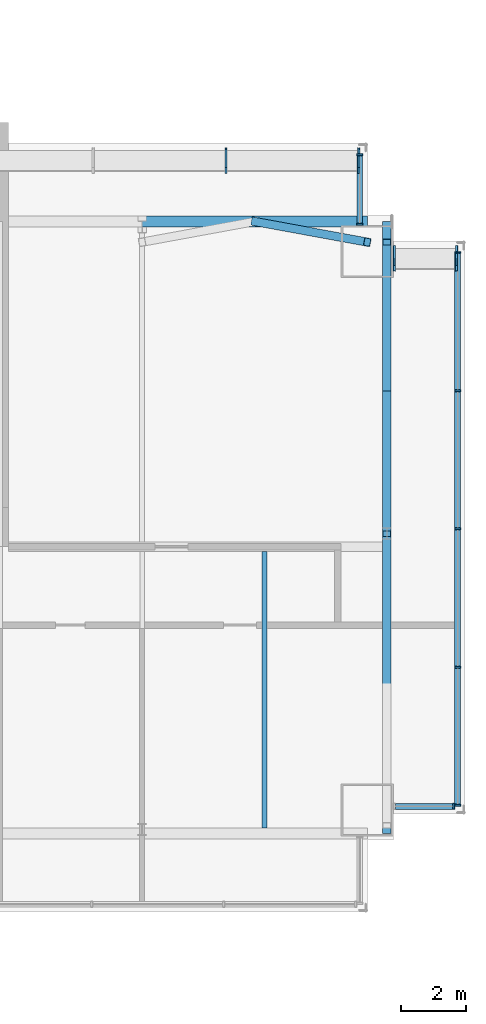
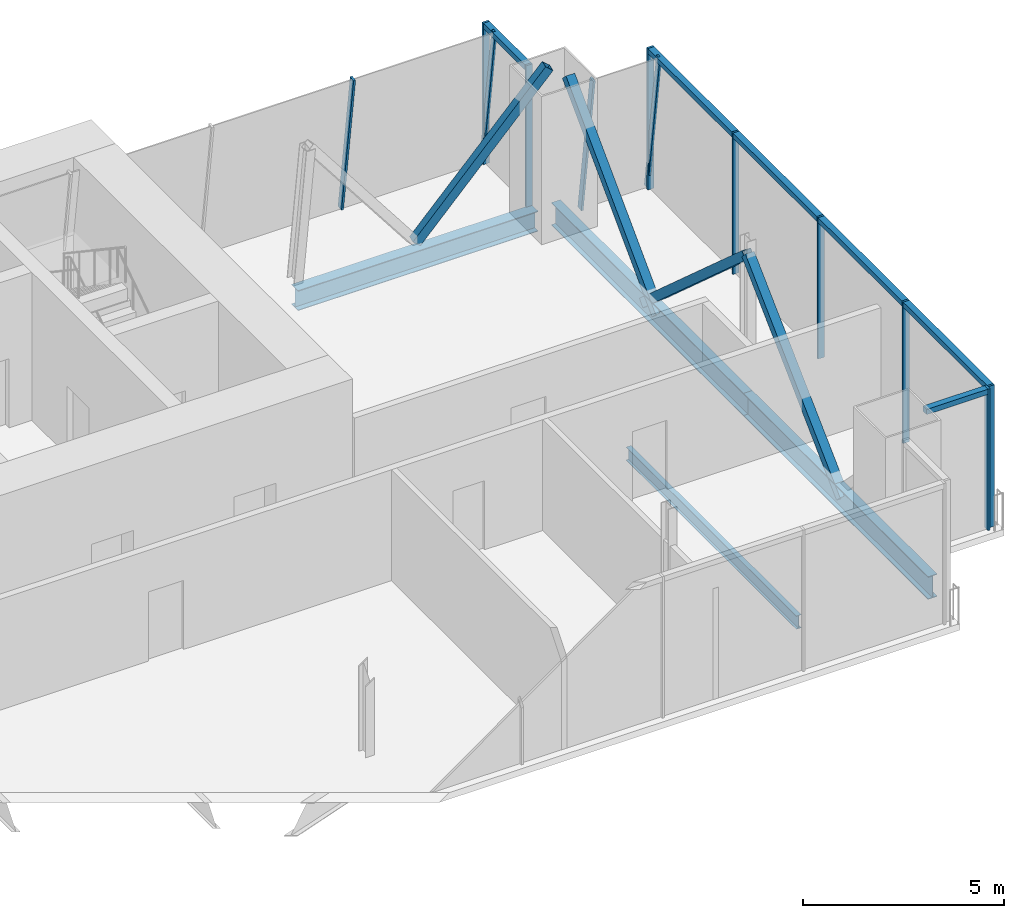
# One storey, part 7 of 14: 22 members, 4 beams, 5 elements without a shape of their own.
"""IFC4 building model written with IfcOpenShell, lengths in metres."""

import ifcopenshell
import ifcopenshell.guid

model = None  # the IFC model being written
_history = None  # IfcOwnerHistory: only IFC2X3 demands one
_inside = {}  # id of a spatial element -> (the spatial element, [elements in it])
_under = {}  # id of a project, library or spatial element -> (it, [spatial elements below it])
_declared = {}  # id of a project -> (the project, [libraries it declares])
_typed = {}  # id of a type object -> (the type object, [elements of that type])
_made_of = {}  # id of a material, layer set ... -> (it, [elements and type objects made of it])


def new_model(schema):
    """Start an empty IFC model of exactly this schema.

    Asked for "IFC4X3", IfcOpenShell would pick the latest addendum, in which some entities
    have other attributes; the version numbers below select the first issue.
    IFC2X3 requires an IfcOwnerHistory on every rooted entity: one is made here for all.
    """
    global model, _history
    if schema == "IFC4X3":
        model = ifcopenshell.file(schema_version=(4, 3, 0, 0))
    else:
        model = ifcopenshell.file(schema=schema)
    _inside.clear()
    _under.clear()
    _declared.clear()
    _typed.clear()
    _made_of.clear()
    _history = None
    if model.schema == "IFC2X3":
        org = make("IfcOrganization", Name="unknown")
        user = make(
            "IfcPersonAndOrganization",
            ThePerson=make("IfcPerson", FamilyName="unknown"),
            TheOrganization=org,
        )
        app = make(
            "IfcApplication",
            ApplicationDeveloper=org,
            Version="unknown",
            ApplicationFullName="unknown",
            ApplicationIdentifier="unknown",
        )
        _history = make(
            "IfcOwnerHistory",
            OwningUser=user,
            OwningApplication=app,
            ChangeAction="ADDED",
            CreationDate=0,
        )
    return model


def make(cls, **values):
    """One entity of the class cls with the attributes given. An attribute that is None is left unset."""
    return model.create_entity(
        cls, **{name: value for name, value in values.items() if value is not None}
    )


def rooted(cls, **values):
    """An entity with a GlobalId (a new one), such as an element, a storey or a relation."""
    return make(cls, GlobalId=ifcopenshell.guid.new(), OwnerHistory=_history, **values)


def si_unit(unit_type, name, prefix=None):
    """IfcSIUnit, for example si_unit("LENGTHUNIT", "METRE", prefix="MILLI")."""
    return make("IfcSIUnit", UnitType=unit_type, Prefix=prefix, Name=name)


def assignment(units):
    """IfcUnitAssignment: the units of a project."""
    return None if units is None else make("IfcUnitAssignment", Units=units)


def point(xyz):
    """IfcCartesianPoint."""
    return None if xyz is None else make("IfcCartesianPoint", Coordinates=xyz)


def direction(xyz):
    """IfcDirection."""
    return None if xyz is None else make("IfcDirection", DirectionRatios=xyz)


def frame(location, z_axis=None, x_axis=None):
    """IfcAxis2Placement3D, a coordinate frame: its origin and axes. An axis left out is left unset."""
    return make(
        "IfcAxis2Placement3D",
        Location=point(location),
        Axis=direction(z_axis),
        RefDirection=direction(x_axis),
    )


def frame_2d(location, x_axis=None):
    """IfcAxis2Placement2D, a coordinate frame in the plane: its origin and x axis."""
    return make(
        "IfcAxis2Placement2D", Location=point(location), RefDirection=direction(x_axis)
    )


def origin():
    """The frame at (0, 0, 0) with its axes left unset."""
    return frame((0.0, 0.0, 0.0))


def origin_2d():
    """The frame at (0, 0) in the plane with its x axis left unset."""
    return frame_2d((0.0, 0.0))


def place(relative_to, where):
    """IfcLocalPlacement: puts the frame where relative to a parent placement (None: the world)."""
    return make(
        "IfcLocalPlacement", PlacementRelTo=relative_to, RelativePlacement=where
    )


def context(
    kind, dimensions, precision=None, world=None, true_north=None, identifier=None
):
    """IfcGeometricRepresentationContext, for example the 3D "Model" context."""
    return make(
        "IfcGeometricRepresentationContext",
        ContextIdentifier=identifier,
        ContextType=kind,
        CoordinateSpaceDimension=dimensions,
        Precision=precision,
        WorldCoordinateSystem=world,
        TrueNorth=true_north,
    )


def subcontext(parent, identifier, kind, view, scale=None):
    """IfcGeometricRepresentationSubContext, for example "Body" below "Model"."""
    return make(
        "IfcGeometricRepresentationSubContext",
        ContextIdentifier=identifier,
        ContextType=kind,
        ParentContext=parent,
        TargetScale=scale,
        TargetView=view,
    )


def project(units=None, contexts=None):
    """IfcProject with its units and contexts."""
    return rooted(
        "IfcProject",
        Name="project",
        RepresentationContexts=contexts,
        UnitsInContext=assignment(units),
    )


def spatial(cls, under=None, at=None, **own):
    """A site, building, storey or space (cls), placed at a placement, below another one or the project."""
    s = rooted(cls, ObjectPlacement=at, **own)
    if under is not None:
        _under.setdefault(under.id(), (under, []))[1].append(s)
    return s


def profile(cls, at=None, kind="AREA", **sizes):
    """A parametric profile (cls). Its sizes go by their IFC names, for example OverallWidth=200.0."""
    return make(cls, ProfileType=kind, Position=at, **sizes)


def rectangle(**sizes):
    """IfcRectangleProfileDef."""
    return profile("IfcRectangleProfileDef", **sizes)


def hollow_rectangle(**sizes):
    """IfcRectangleHollowProfileDef."""
    return profile("IfcRectangleHollowProfileDef", **sizes)


def i_section(**sizes):
    """IfcIShapeProfileDef."""
    return profile("IfcIShapeProfileDef", **sizes)


def extrude(swept, where, along, depth):
    """IfcExtrudedAreaSolid: the profile swept, set in the frame where, extruded along a direction by depth."""
    return make(
        "IfcExtrudedAreaSolid",
        SweptArea=swept,
        Position=where,
        ExtrudedDirection=direction(along),
        Depth=depth,
    )


def shape(context_of_items, identifier, shape_type, items):
    """IfcShapeRepresentation: the items that make up one representation, for example the "Body"."""
    return make(
        "IfcShapeRepresentation",
        ContextOfItems=context_of_items,
        RepresentationIdentifier=identifier,
        RepresentationType=shape_type,
        Items=items,
    )


def material(Name=None, Category=None):
    """IfcMaterial."""
    return make("IfcMaterial", Name=Name, Category=Category)


def material_profile(
    of_material, cross_section, Name=None, Category=None, Priority=None
):
    """IfcMaterialProfile: a cross section and its material."""
    return make(
        "IfcMaterialProfile",
        Name=Name,
        Material=of_material,
        Profile=cross_section,
        Priority=Priority,
        Category=Category,
    )


def profile_set(profiles, Name=None, composite=None):
    """IfcMaterialProfileSet."""
    return make(
        "IfcMaterialProfileSet",
        Name=Name,
        MaterialProfiles=profiles,
        CompositeProfile=composite,
    )


def made_of(thing, what):
    """Note that an element or type object is made of a material, layer set ...; save() writes the relation."""
    if what is not None:
        _made_of.setdefault(what.id(), (what, []))[1].append(thing)
    return thing


def type_object(cls, material=None, **own):
    """A type object (cls), such as IfcWallType, which elements share."""
    return made_of(rooted(cls, **own), material)


def element(
    cls,
    number,
    at=None,
    inside=None,
    cuts=None,
    type_object=None,
    material=None,
    context=None,
    identifier="Body",
    shape_type=None,
    held_by="IfcProductDefinitionShape",
    body=None,
    shapes=None,
    **own,
):
    """One element of the class cls, such as IfcWall. Its Tag is "e" and its number.

    at: its placement. inside: the storey or other place that contains it. cuts: it is an
    opening in that element (IfcRelVoidsElement). A single representation is given by context,
    identifier, shape_type and body (its items); several are given by shapes. held_by: the class
    of the entity that holds the representations. save() writes the other relations.
    """
    e = rooted(cls, Tag="e%d" % number, ObjectPlacement=at, **own)
    if body is not None:
        shapes = [shape(context, identifier, shape_type, body)]
    if shapes is not None:
        e.Representation = make(held_by, Representations=shapes)
    if inside is not None:
        _inside.setdefault(inside.id(), (inside, []))[1].append(e)
    if cuts is not None:
        rooted(
            "IfcRelVoidsElement", RelatingBuildingElement=cuts, RelatedOpeningElement=e
        )
    if type_object is not None:
        _typed.setdefault(type_object.id(), (type_object, []))[1].append(e)
    return made_of(e, material)


def aggregate(whole, parts):
    """IfcRelAggregates: a whole, such as a stair, and the parts it consists of."""
    return rooted("IfcRelAggregates", RelatingObject=whole, RelatedObjects=parts)


def save(model, path):
    """Write the relations noted so far, then the file.

    IfcRelAggregates (storeys below a building ...), IfcRelContainedInSpatialStructure (elements
    in a storey), IfcRelDefinesByType, IfcRelAssociatesMaterial and IfcRelDeclares: one each for
    every whole, place, type object, material and project.
    """
    for whole, parts in _under.values():
        aggregate(whole, parts)
    for where, things in _inside.values():
        rooted(
            "IfcRelContainedInSpatialStructure",
            RelatedElements=things,
            RelatingStructure=where,
        )
    for kind, things in _typed.values():
        rooted("IfcRelDefinesByType", RelatedObjects=things, RelatingType=kind)
    for what, things in _made_of.values():
        rooted("IfcRelAssociatesMaterial", RelatedObjects=things, RelatingMaterial=what)
    for by, libraries in _declared.values():
        rooted("IfcRelDeclares", RelatingContext=by, RelatedDefinitions=libraries)
    model.write(path)


model = new_model("IFC4")

# Units and contexts
model_context = context("Model", 3, precision=1e-05, world=origin(), true_north=direction((0.0, 1.0)))
body_context = subcontext(model_context, "Body", "Model", "MODEL_VIEW")
ifc_project = project(units=[si_unit("LENGTHUNIT", "METRE"), si_unit("AREAUNIT", "SQUARE_METRE"), si_unit("VOLUMEUNIT", "CUBIC_METRE"), si_unit("PLANEANGLEUNIT", "RADIAN"), si_unit("MASSUNIT", "GRAM", prefix="KILO")], contexts=[model_context])

# Site, building, storey
site_placement = place(None, origin())
site = spatial("IfcSite", under=ifc_project, at=site_placement, CompositionType="ELEMENT")
building_placement = place(site_placement, origin())
building = spatial("IfcBuilding", under=site, at=building_placement, Name="Bicima Exchange Tower", CompositionType="ELEMENT")
storey_placement = place(building_placement, frame((0.0, 0.0, 352.39990234375)))
storey = spatial("IfcBuildingStorey", under=building, at=storey_placement, Name="L79", CompositionType="ELEMENT", Elevation=352.39990234375)

# Curtain wall, members
ifc_material_1 = material(Name="Anodised bronze aluminium", Category="aluminium")
curtain_wall_type = type_object("IfcCurtainWallType", Name="Crown glass wall", PredefinedType="NOTDEFINED", material=ifc_material_1)
curtain_wall_1_placement = place(storey_placement, origin())
curtain_wall_1 = element("IfcCurtainWall", 1, at=curtain_wall_1_placement, inside=storey, type_object=curtain_wall_type, Name="Crown glass wall L79 run 1", PredefinedType="NOTDEFINED")
ifc_material_profile_1 = material_profile(ifc_material_1, rectangle(XDim=0.179931640625, YDim=0.06005859375, at=origin_2d()))
ifc_profile_set_1 = profile_set([ifc_material_profile_1], Name="Anodised bronze aluminium")
member_type_1 = type_object("IfcMemberType", Name="Crown glass wall mullion 60 x 180", PredefinedType="MULLION", material=ifc_profile_set_1)
member_1_placement = place(storey_placement, frame((32.77001953125, -3.11865234375, 0.0), z_axis=(0.0, 0.0, 1.0), x_axis=(-1.0, 0.0, 0.0)))
member_1 = element("IfcMember", 2, at=member_1_placement, type_object=member_type_1, Name="Crown glass wall mullion 1", PredefinedType="MULLION", context=body_context, shape_type="SweptSolid", body=[
    extrude(rectangle(XDim=0.179931640625, YDim=0.06005859375, at=origin_2d()), origin(), (0.0, 0.0, 1.0), 4.300048828125),
])
member_2_placement = place(storey_placement, frame((32.77001953125, -0.982421875, 0.0), z_axis=(0.0, 0.0, 1.0), x_axis=(-1.0, 0.0, 0.0)))
member_2 = element("IfcMember", 3, at=member_2_placement, type_object=member_type_1, Name="Crown glass wall mullion 2", PredefinedType="MULLION", context=body_context, shape_type="SweptSolid", body=[
    extrude(rectangle(XDim=0.179931640625, YDim=0.06005859375, at=origin_2d()), origin(), (0.0, 0.0, 1.0), 4.300048828125),
])

# Curtain wall, member
curtain_wall_2_placement = place(storey_placement, origin())
curtain_wall_2 = element("IfcCurtainWall", 4, at=curtain_wall_2_placement, inside=storey, type_object=curtain_wall_type, Name="Crown glass wall L79 run 14", PredefinedType="NOTDEFINED")
member_3_placement = place(storey_placement, frame((35.64990234375, -20.9580078125, 0.0), z_axis=(0.0, 0.0, 1.0), x_axis=(0.0, 1.0, 0.0)))
member_3 = element("IfcMember", 5, at=member_3_placement, type_object=member_type_1, Name="Crown glass wall mullion 2", PredefinedType="MULLION", context=body_context, shape_type="SweptSolid", body=[
    extrude(rectangle(XDim=0.179931640625, YDim=0.06005859375, at=origin_2d()), origin(), (0.0, 0.0, 1.0), 4.300048828125),
])

# Curtain wall, members
curtain_wall_3_placement = place(storey_placement, origin())
curtain_wall_3 = element("IfcCurtainWall", 6, at=curtain_wall_3_placement, inside=storey, type_object=curtain_wall_type, Name="Crown glass wall L79 run 15", PredefinedType="NOTDEFINED")
member_4_placement = place(storey_placement, frame((35.77001953125, -20.927978515625, 0.0), z_axis=(0.0, 0.0, 1.0), x_axis=(-1.0, 0.0, 0.0)))
member_4 = element("IfcMember", 7, at=member_4_placement, type_object=member_type_1, Name="Crown glass wall mullion 1", PredefinedType="MULLION", context=body_context, shape_type="SweptSolid", body=[
    extrude(rectangle(XDim=0.179931640625, YDim=0.06005859375, at=origin_2d()), origin(), (0.0, 0.0, 1.0), 4.300048828125),
])
member_5_placement = place(storey_placement, frame((35.77001953125, -16.691650390625, 0.0), z_axis=(0.0, 0.0, 1.0), x_axis=(-1.0, 0.0, 0.0)))
member_5 = element("IfcMember", 8, at=member_5_placement, type_object=member_type_1, Name="Crown glass wall mullion 2", PredefinedType="MULLION", context=body_context, shape_type="SweptSolid", body=[
    extrude(rectangle(XDim=0.179931640625, YDim=0.06005859375, at=origin_2d()), origin(), (0.0, 0.0, 1.0), 4.300048828125),
])
member_6_placement = place(storey_placement, frame((35.77001953125, -12.455078125, 0.0), z_axis=(0.0, 0.0, 1.0), x_axis=(-1.0, 0.0, 0.0)))
member_6 = element("IfcMember", 9, at=member_6_placement, type_object=member_type_1, Name="Crown glass wall mullion 3", PredefinedType="MULLION", context=body_context, shape_type="SweptSolid", body=[
    extrude(rectangle(XDim=0.179931640625, YDim=0.06005859375, at=origin_2d()), origin(), (0.0, 0.0, 1.0), 4.300048828125),
])
member_7_placement = place(storey_placement, frame((35.77001953125, -8.21875, 0.0), z_axis=(0.0, 0.0, 1.0), x_axis=(-1.0, 0.0, 0.0)))
member_7 = element("IfcMember", 10, at=member_7_placement, type_object=member_type_1, Name="Crown glass wall mullion 4", PredefinedType="MULLION", context=body_context, shape_type="SweptSolid", body=[
    extrude(rectangle(XDim=0.179931640625, YDim=0.06005859375, at=origin_2d()), origin(), (0.0, 0.0, 1.0), 4.300048828125),
])
member_8_placement = place(storey_placement, frame((35.77001953125, -3.982421875, 0.0), z_axis=(0.0, 0.0, 1.0), x_axis=(-1.0, 0.0, 0.0)))
member_8 = element("IfcMember", 11, at=member_8_placement, type_object=member_type_1, Name="Crown glass wall mullion 5", PredefinedType="MULLION", context=body_context, shape_type="SweptSolid", body=[
    extrude(rectangle(XDim=0.179931640625, YDim=0.06005859375, at=origin_2d()), origin(), (0.0, 0.0, 1.0), 4.300048828125),
])

curtain_wall_4_placement = place(storey_placement, origin())
curtain_wall_4 = element("IfcCurtainWall", 12, at=curtain_wall_4_placement, inside=storey, type_object=curtain_wall_type, Name="Crown tilted glass L79 2.1", PredefinedType="NOTDEFINED")
member_9_placement = place(storey_placement, frame((32.739990234375, -0.8623046875, 0.0), z_axis=(0.0, -0.139209174124, 0.990262998319), x_axis=(0.0, -0.990262998319, -0.139209174124)))
member_9 = element("IfcMember", 13, at=member_9_placement, type_object=member_type_1, Name="Crown tilted mullion 1", PredefinedType="MULLION", context=body_context, shape_type="SweptSolid", body=[
    extrude(rectangle(XDim=0.179931640625, YDim=0.06005859375, at=origin_2d()), origin(), (0.0, 0.0, 1.0), 4.34228515625),
])
member_10_placement = place(storey_placement, frame((28.67041015625, -0.8623046875, 0.0), z_axis=(0.0, -0.139209174124, 0.990262998319), x_axis=(0.0, -0.990262998319, -0.139209174124)))
member_10 = element("IfcMember", 14, at=member_10_placement, type_object=member_type_1, Name="Crown tilted mullion 2", PredefinedType="MULLION", context=body_context, shape_type="SweptSolid", body=[
    extrude(rectangle(XDim=0.179931640625, YDim=0.06005859375, at=origin_2d()), origin(), (0.0, 0.0, 1.0), 4.34228515625),
])
aggregate(curtain_wall_4, [member_9, member_10])

curtain_wall_5_placement = place(storey_placement, origin())
curtain_wall_5 = element("IfcCurtainWall", 15, at=curtain_wall_5_placement, inside=storey, type_object=curtain_wall_type, Name="Crown tilted glass L79 18.1", PredefinedType="NOTDEFINED")
member_11_placement = place(storey_placement, frame((35.739990234375, -3.8623046875, 0.0), z_axis=(0.0, -0.139209174124, 0.990262998319), x_axis=(0.0, -0.990262998319, -0.139209174124)))
member_11 = element("IfcMember", 16, at=member_11_placement, type_object=member_type_1, Name="Crown tilted mullion 1", PredefinedType="MULLION", context=body_context, shape_type="SweptSolid", body=[
    extrude(rectangle(XDim=0.179931640625, YDim=0.06005859375, at=origin_2d()), origin(), (0.0, 0.0, 1.0), 4.34228515625),
])
member_12_placement = place(storey_placement, frame((33.830078125, -3.8623046875, 0.0), z_axis=(0.0, -0.139209174124, 0.990262998319), x_axis=(0.0, -0.990262998319, -0.139209174124)))
member_12 = element("IfcMember", 17, at=member_12_placement, type_object=member_type_1, Name="Crown tilted mullion 2", PredefinedType="MULLION", context=body_context, shape_type="SweptSolid", body=[
    extrude(rectangle(XDim=0.179931640625, YDim=0.06005859375, at=origin_2d()), origin(), (0.0, 0.0, 1.0), 4.34228515625),
])
aggregate(curtain_wall_5, [member_11, member_12])

# Member
ifc_material_profile_2 = material_profile(ifc_material_1, rectangle(XDim=0.179931640625, YDim=0.159912109375, at=origin_2d()))
ifc_profile_set_2 = profile_set([ifc_material_profile_2], Name="Anodised bronze aluminium")
member_type_2 = type_object("IfcMemberType", Name="Crown glass wall transom 160 x 180", PredefinedType="USERDEFINED", material=ifc_profile_set_2)
member_13_placement = place(storey_placement, frame((32.77001953125, -3.088623046875, 4.22021484375), z_axis=(0.0, 1.0, 0.0), x_axis=(-1.0, 0.0, 0.0)))
member_13 = element("IfcMember", 18, at=member_13_placement, type_object=member_type_2, Name="Crown glass wall transom 1.1", ObjectType="TRANSOM", PredefinedType="USERDEFINED", context=body_context, shape_type="SweptSolid", body=[
    extrude(rectangle(XDim=0.179931640625, YDim=0.159912109375, at=origin_2d()), origin(), (0.0, 0.0, 1.0), 2.076171875),
])

aggregate(curtain_wall_1, [member_1, member_2, member_13])

member_14_placement = place(storey_placement, frame((33.860107421875, -20.9580078125, 4.22021484375), z_axis=(1.0, 0.0, 0.0), x_axis=(0.0, 1.0, 0.0)))
member_14 = element("IfcMember", 19, at=member_14_placement, type_object=member_type_2, Name="Crown glass wall transom 1.1", ObjectType="TRANSOM", PredefinedType="USERDEFINED", context=body_context, shape_type="SweptSolid", body=[
    extrude(rectangle(XDim=0.179931640625, YDim=0.159912109375, at=origin_2d()), origin(), (0.0, 0.0, 1.0), 1.760009765625),
])

aggregate(curtain_wall_2, [member_3, member_14])

member_15_placement = place(storey_placement, frame((35.77001953125, -20.89794921875, 4.22021484375), z_axis=(0.0, 1.0, 0.0), x_axis=(-1.0, 0.0, 0.0)))
member_15 = element("IfcMember", 20, at=member_15_placement, type_object=member_type_2, Name="Crown glass wall transom 1.1", ObjectType="TRANSOM", PredefinedType="USERDEFINED", context=body_context, shape_type="SweptSolid", body=[
    extrude(rectangle(XDim=0.179931640625, YDim=0.159912109375, at=origin_2d()), origin(), (0.0, 0.0, 1.0), 4.17626953125),
])

member_16_placement = place(storey_placement, frame((35.77001953125, -16.66162109375, 4.22021484375), z_axis=(0.0, 1.0, 0.0), x_axis=(-1.0, 0.0, 0.0)))
member_16 = element("IfcMember", 21, at=member_16_placement, type_object=member_type_2, Name="Crown glass wall transom 2.1", ObjectType="TRANSOM", PredefinedType="USERDEFINED", context=body_context, shape_type="SweptSolid", body=[
    extrude(rectangle(XDim=0.179931640625, YDim=0.159912109375, at=origin_2d()), origin(), (0.0, 0.0, 1.0), 4.176513671875),
])

member_17_placement = place(storey_placement, frame((35.77001953125, -12.42529296875, 4.22021484375), z_axis=(0.0, 1.0, 0.0), x_axis=(-1.0, 0.0, 0.0)))
member_17 = element("IfcMember", 22, at=member_17_placement, type_object=member_type_2, Name="Crown glass wall transom 3.1", ObjectType="TRANSOM", PredefinedType="USERDEFINED", context=body_context, shape_type="SweptSolid", body=[
    extrude(rectangle(XDim=0.179931640625, YDim=0.159912109375, at=origin_2d()), origin(), (0.0, 0.0, 1.0), 4.176513671875),
])

member_18_placement = place(storey_placement, frame((35.77001953125, -8.188720703125, 4.22021484375), z_axis=(0.0, 1.0, 0.0), x_axis=(-1.0, 0.0, 0.0)))
member_18 = element("IfcMember", 23, at=member_18_placement, type_object=member_type_2, Name="Crown glass wall transom 4.1", ObjectType="TRANSOM", PredefinedType="USERDEFINED", context=body_context, shape_type="SweptSolid", body=[
    extrude(rectangle(XDim=0.179931640625, YDim=0.159912109375, at=origin_2d()), origin(), (0.0, 0.0, 1.0), 4.17626953125),
])

aggregate(curtain_wall_3, [member_4, member_5, member_6, member_7, member_8, member_15, member_16, member_17, member_18])

# Beams
ifc_material_2 = material(Name="Steel ASTM A992 Gr 50", Category="steel")
ifc_material_profile_3 = material_profile(ifc_material_2, i_section(OverallWidth=0.256591796875, OverallDepth=0.693359375, WebThickness=0.014404296875, FlangeThickness=0.023681640625, at=origin_2d()))
ifc_profile_set_3 = profile_set([ifc_material_profile_3], Name="Steel ASTM A992 Gr 50")
beam_type_1 = type_object("IfcBeamType", Name="End girder W27x114", PredefinedType="BEAM", material=ifc_profile_set_3)
beam_1_placement = place(storey_placement, frame((33.60009765625, -3.032470703125, -0.546630859375), z_axis=(0.0, -1.0, 0.0), x_axis=(1.0, 0.0, 0.0)))
element("IfcBeam", 24, at=beam_1_placement, inside=storey, type_object=beam_type_1, Name="End girder", PredefinedType="BEAM", context=body_context, shape_type="SweptSolid", body=[
    extrude(i_section(OverallWidth=0.256591796875, OverallDepth=0.693359375, WebThickness=0.014404296875, FlangeThickness=0.023681640625, at=origin_2d()), origin(), (0.0, 0.0, 1.0), 9.567626953125),
])
beam_2_placement = place(storey_placement, frame((33.60009765625, -12.60009765625, -0.546630859375), z_axis=(0.0, -1.0, 0.0), x_axis=(1.0, 0.0, 0.0)))
element("IfcBeam", 25, at=beam_2_placement, inside=storey, type_object=beam_type_1, Name="End girder", PredefinedType="BEAM", context=body_context, shape_type="SweptSolid", body=[
    extrude(i_section(OverallWidth=0.256591796875, OverallDepth=0.693359375, WebThickness=0.014404296875, FlangeThickness=0.023681640625, at=origin_2d()), origin(), (0.0, 0.0, 1.0), 9.18798828125),
])
ifc_material_profile_4 = material_profile(ifc_material_2, i_section(OverallWidth=0.140380859375, OverallDepth=0.40380859375, WebThickness=0.007080078125, FlangeThickness=0.01123046875, at=origin_2d()))
ifc_profile_set_4 = profile_set([ifc_material_profile_4], Name="Steel ASTM A992 Gr 50")
beam_type_2 = type_object("IfcBeamType", Name="Floor beam W16x31", PredefinedType="JOIST", material=ifc_profile_set_4)
beam_3_placement = place(storey_placement, frame((29.85009765625, -13.15234375, -0.40185546875), z_axis=(0.0, -1.0, 0.0), x_axis=(1.0, 0.0, 0.0)))
element("IfcBeam", 26, at=beam_3_placement, inside=storey, type_object=beam_type_2, Name="Floor beam", PredefinedType="JOIST", context=body_context, shape_type="SweptSolid", body=[
    extrude(i_section(OverallWidth=0.140380859375, OverallDepth=0.40380859375, WebThickness=0.007080078125, FlangeThickness=0.01123046875, at=origin_2d()), origin(), (0.0, 0.0, 1.0), 8.47314453125),
])

# Members
ifc_material_3 = material(Name="Steel ASTM A572 Gr 50", Category="steel")
ifc_material_profile_5 = material_profile(ifc_material_3, hollow_rectangle(XDim=0.25390625, YDim=0.25390625, WallThickness=0.01171875, at=origin_2d()))
ifc_profile_set_5 = profile_set([ifc_material_profile_5], Name="Steel ASTM A572 Gr 50")
member_type_3 = type_object("IfcMemberType", Name="Mega brace HSS10x10x1/2", PredefinedType="BRACE", material=ifc_profile_set_5)
member_19_placement = place(storey_placement, frame((29.550048828125, -3.032470703125, 0.0), z_axis=(0.604677947117, -0.110828383202, 0.788721528644), x_axis=(0.180281850661, 0.983614992933, 0.0)))
element("IfcMember", 27, at=member_19_placement, inside=storey, type_object=member_type_3, Name="Mega brace rear", PredefinedType="BRACE", context=body_context, shape_type="SweptSolid", body=[
    extrude(hollow_rectangle(XDim=0.25390625, YDim=0.25390625, WallThickness=0.01171875, at=origin_2d()), origin(), (0.0, 0.0, 1.0), 5.705322265625),
])
member_20_placement = place(storey_placement, frame((33.60009765625, -7.5, -0.546630859375), z_axis=(0.0, -0.74689226838, 0.664945064975), x_axis=(1.0, 0.0, 0.0)))
element("IfcMember", 28, at=member_20_placement, inside=storey, type_object=member_type_3, Name="Mega brace east end", PredefinedType="BRACE", context=body_context, shape_type="SweptSolid", body=[
    extrude(hollow_rectangle(XDim=0.25390625, YDim=0.25390625, WallThickness=0.01171875, at=origin_2d()), origin(), (0.0, 0.0, 1.0), 6.828369140625),
])
member_21_placement = place(storey_placement, frame((33.60009765625, -8.13232421875, -0.546630859375), z_axis=(0.0, 0.701353614278, 0.712813515402), x_axis=(-1.0, 0.0, 0.0)))
element("IfcMember", 29, at=member_21_placement, inside=storey, type_object=member_type_3, Name="Mega brace east end", PredefinedType="BRACE", context=body_context, shape_type="SweptSolid", body=[
    extrude(hollow_rectangle(XDim=0.25390625, YDim=0.25390625, WallThickness=0.01171875, at=origin_2d()), origin(), (0.0, 0.0, 1.0), 6.369873046875),
])
member_22_placement = place(storey_placement, frame((33.60009765625, -17.31591796875, -0.546630859375), z_axis=(0.0, 0.72036852125, 0.69359151782), x_axis=(-1.0, 0.0, 0.0)))
element("IfcMember", 30, at=member_22_placement, inside=storey, type_object=member_type_3, Name="Mega brace east end", PredefinedType="BRACE", context=body_context, shape_type="SweptSolid", body=[
    extrude(hollow_rectangle(XDim=0.25390625, YDim=0.25390625, WallThickness=0.01171875, at=origin_2d()), origin(), (0.0, 0.0, 1.0), 6.54638671875),
])

# Beam
ifc_material_profile_6 = material_profile(ifc_material_2, i_section(OverallWidth=0.3251953125, OverallDepth=0.612060546875, WebThickness=0.0126953125, FlangeThickness=0.01904296875, at=origin_2d()))
ifc_profile_set_6 = profile_set([ifc_material_profile_6], Name="Steel ASTM A992 Gr 50")
beam_type_3 = type_object("IfcBeamType", Name="Rear girder W24x104", PredefinedType="BEAM", material=ifc_profile_set_6)
beam_4_placement = place(storey_placement, frame((26.10009765625, -3.032470703125, -0.506103515625), z_axis=(1.0, 0.0, 0.0), x_axis=(0.0, 1.0, 0.0)))
element("IfcBeam", 31, at=beam_4_placement, inside=storey, type_object=beam_type_3, Name="Rear girder", PredefinedType="BEAM", context=body_context, shape_type="SweptSolid", body=[
    extrude(i_section(OverallWidth=0.3251953125, OverallDepth=0.612060546875, WebThickness=0.0126953125, FlangeThickness=0.01904296875, at=origin_2d()), origin(), (0.0, 0.0, 1.0), 6.89990234375),
])

save(model, "model.ifc")
